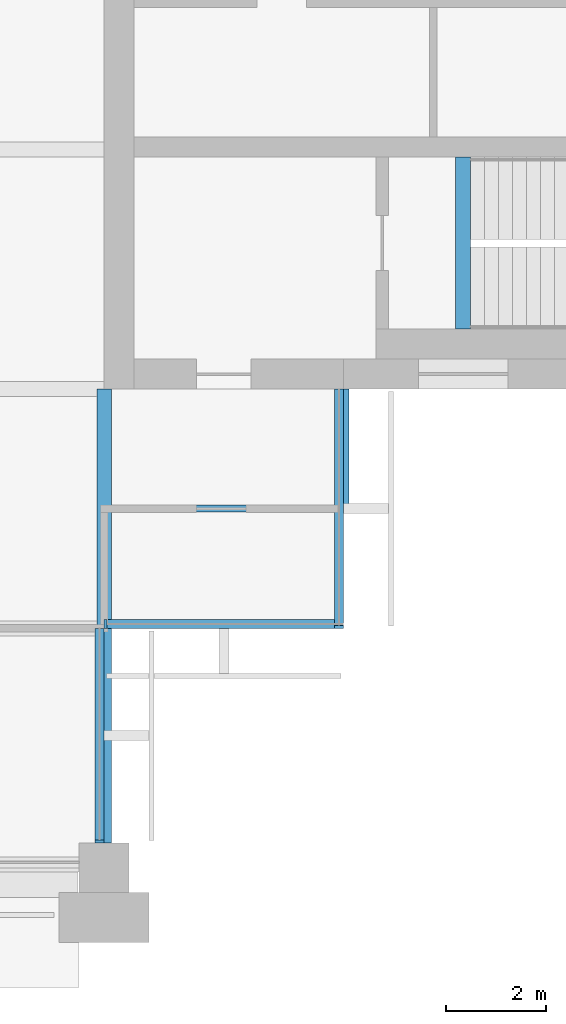
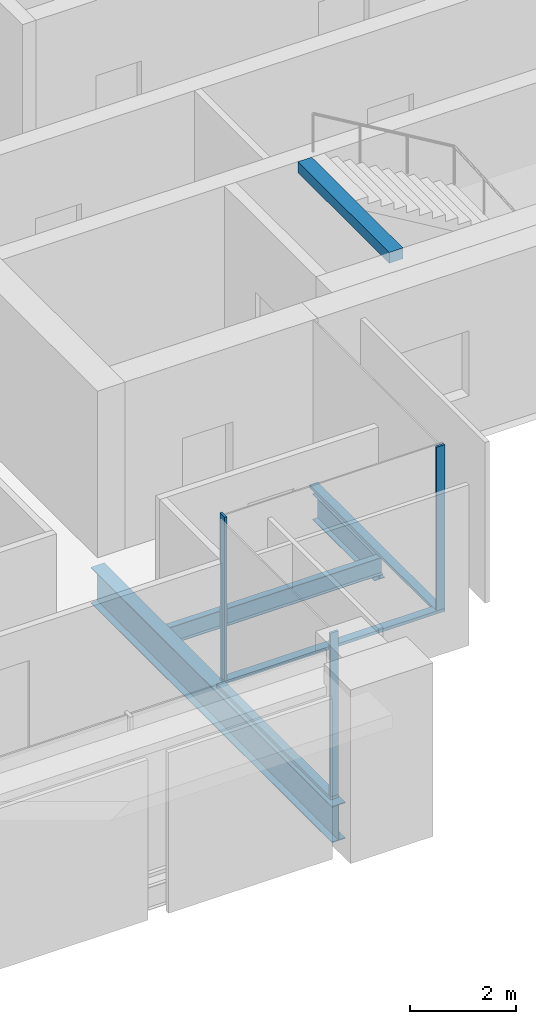
# One storey, part 4 of 14: 6 members, 4 beams, 3 elements without a shape of their own.
"""IFC4 building model written with IfcOpenShell, lengths in metres."""

from ifc_helpers import new_model, si_unit, direction, frame, origin, origin_2d, place, context, subcontext, project, spatial, rectangle, i_section, extrude, material, material_profile, profile_set, type_object, element, aggregate, save


model = new_model("IFC4")

# Units and contexts
model_context = context("Model", 3, precision=1e-05, world=origin(), true_north=direction((0.0, 1.0)))
body_context = subcontext(model_context, "Body", "Model", "MODEL_VIEW")
ifc_project = project(units=[si_unit("LENGTHUNIT", "METRE"), si_unit("AREAUNIT", "SQUARE_METRE"), si_unit("VOLUMEUNIT", "CUBIC_METRE"), si_unit("PLANEANGLEUNIT", "RADIAN"), si_unit("MASSUNIT", "GRAM", prefix="KILO")], contexts=[model_context])

# Site, building, storey
site_placement = place(None, origin())
site = spatial("IfcSite", under=ifc_project, at=site_placement, CompositionType="ELEMENT")
building_placement = place(site_placement, origin())
building = spatial("IfcBuilding", under=site, at=building_placement, Name="Baori Bourse Tower", CompositionType="ELEMENT")
storey_placement = place(building_placement, frame((0.0, 0.0, 290.300048828125)))
storey = spatial("IfcBuildingStorey", under=building, at=storey_placement, Name="L63", CompositionType="ELEMENT", Elevation=290.300048828125)

# Curtain wall, member
ifc_material_1 = material(Name="Pale anodised aluminium", Category="aluminium")
curtain_wall_type = type_object("IfcCurtainWallType", Name="CW2 Curtain wall", PredefinedType="NOTDEFINED", material=ifc_material_1)
curtain_wall_1_placement = place(storey_placement, origin())
curtain_wall_1 = element("IfcCurtainWall", 1, at=curtain_wall_1_placement, inside=storey, type_object=curtain_wall_type, Name="Curtain wall CW2 L63 16", PredefinedType="NOTDEFINED")
ifc_material_2 = material(Name="Pale anodised aluminium", Category="aluminium")
ifc_material_profile_1 = material_profile(ifc_material_2, rectangle(XDim=0.179931640625, YDim=0.054931640625, at=origin_2d()), Name="Mullion 55x180")
ifc_profile_set_1 = profile_set([ifc_material_profile_1], Name="Pale anodised aluminium")
member_type_1 = type_object("IfcMemberType", Name="CW2 Curtain wall mullion", PredefinedType="MULLION", material=ifc_profile_set_1)
member_1_placement = place(storey_placement, frame((38.31005859375, 0.527587890625, 0.070068359375), z_axis=(0.0, 0.0, 1.0), x_axis=(-1.0, 0.0, 0.0)))
member_1 = element("IfcMember", 2, at=member_1_placement, type_object=member_type_1, Name="Curtain wall CW2 mullion", PredefinedType="MULLION", context=body_context, shape_type="SweptSolid", body=[
    extrude(rectangle(XDim=0.179931640625, YDim=0.054931640625, at=origin_2d()), origin(), (0.0, 0.0, 1.0), 3.769775390625),
])

curtain_wall_2_placement = place(storey_placement, origin())
curtain_wall_2 = element("IfcCurtainWall", 3, at=curtain_wall_2_placement, inside=storey, type_object=curtain_wall_type, Name="Curtain wall CW2 L63 17", PredefinedType="NOTDEFINED")
member_2_placement = place(storey_placement, frame((38.427490234375, 4.889892578125, 0.070068359375), z_axis=(0.0, 0.0, 1.0), x_axis=(0.0, 1.0, 0.0)))
member_2 = element("IfcMember", 4, at=member_2_placement, type_object=member_type_1, Name="Curtain wall CW2 mullion", PredefinedType="MULLION", context=body_context, shape_type="SweptSolid", body=[
    extrude(rectangle(XDim=0.179931640625, YDim=0.054931640625, at=origin_2d()), origin(), (0.0, 0.0, 1.0), 3.769775390625),
])

curtain_wall_3_placement = place(storey_placement, origin())
curtain_wall_3 = element("IfcCurtainWall", 5, at=curtain_wall_3_placement, inside=storey, type_object=curtain_wall_type, Name="Curtain wall CW2 L63 18", PredefinedType="NOTDEFINED")
member_3_placement = place(storey_placement, frame((43.110107421875, 4.827392578125, 0.070068359375), z_axis=(0.0, 0.0, 1.0), x_axis=(-1.0, 0.0, 0.0)))
member_3 = element("IfcMember", 6, at=member_3_placement, type_object=member_type_1, Name="Curtain wall CW2 mullion", PredefinedType="MULLION", context=body_context, shape_type="SweptSolid", body=[
    extrude(rectangle(XDim=0.179931640625, YDim=0.054931640625, at=origin_2d()), origin(), (0.0, 0.0, 1.0), 3.769775390625),
])

# Member
ifc_material_3 = material(Name="Pale anodised aluminium", Category="aluminium")
ifc_material_profile_2 = material_profile(ifc_material_3, rectangle(XDim=0.179931640625, YDim=0.070068359375, at=origin_2d()), Name="Transom 70x180")
ifc_profile_set_2 = profile_set([ifc_material_profile_2], Name="Pale anodised aluminium")
member_type_2 = type_object("IfcMemberType", Name="CW2 Curtain wall transom", PredefinedType="USERDEFINED", material=ifc_profile_set_2)
member_4_placement = place(storey_placement, frame((38.31005859375, 0.5, 0.034912109375), z_axis=(0.0, 1.0, 0.0), x_axis=(-1.0, 0.0, 0.0)))
member_4 = element("IfcMember", 7, at=member_4_placement, type_object=member_type_2, Name="Curtain wall CW2 sill rail", ObjectType="TRANSOM", PredefinedType="USERDEFINED", context=body_context, shape_type="SweptSolid", body=[
    extrude(rectangle(XDim=0.179931640625, YDim=0.070068359375, at=origin_2d()), origin(), (0.0, 0.0, 1.0), 4.300048828125),
])

aggregate(curtain_wall_1, [member_4, member_1])

member_5_placement = place(storey_placement, frame((38.39990234375, 4.889892578125, 0.034912109375), z_axis=(1.0, 0.0, 0.0), x_axis=(0.0, 1.0, 0.0)))
member_5 = element("IfcMember", 8, at=member_5_placement, type_object=member_type_2, Name="Curtain wall CW2 sill rail", ObjectType="TRANSOM", PredefinedType="USERDEFINED", context=body_context, shape_type="SweptSolid", body=[
    extrude(rectangle(XDim=0.179931640625, YDim=0.070068359375, at=origin_2d()), origin(), (0.0, 0.0, 1.0), 4.800048828125),
])

aggregate(curtain_wall_2, [member_5, member_2])

member_6_placement = place(storey_placement, frame((43.110107421875, 4.800048828125, 0.034912109375), z_axis=(0.0, 1.0, 0.0), x_axis=(-1.0, 0.0, 0.0)))
member_6 = element("IfcMember", 9, at=member_6_placement, type_object=member_type_2, Name="Curtain wall CW2 sill rail", ObjectType="TRANSOM", PredefinedType="USERDEFINED", context=body_context, shape_type="SweptSolid", body=[
    extrude(rectangle(XDim=0.179931640625, YDim=0.070068359375, at=origin_2d()), origin(), (0.0, 0.0, 1.0), 4.800048828125),
])

aggregate(curtain_wall_3, [member_6, member_3])

# Beams
ifc_material_4 = material(Name="Steel A992 Gr 50", Category="steel")
ifc_material_profile_3 = material_profile(ifc_material_4, i_section(OverallWidth=0.227783203125, OverallDepth=0.60205078125, WebThickness=0.010498046875, FlangeThickness=0.014892578125, at=origin_2d()), Name="W24x68")
ifc_profile_set_3 = profile_set([ifc_material_profile_3], Name="Steel A992 Gr 50")
beam_type_1 = type_object("IfcBeamType", Name="Core bracket W24x68", PredefinedType="BEAM", material=ifc_profile_set_3)
beam_1_placement = place(storey_placement, frame((43.199951171875, 7.270263671875, -0.4609375), z_axis=(0.0, 1.0, 0.0), x_axis=(-1.0, 0.0, 0.0)))
element("IfcBeam", 10, at=beam_1_placement, inside=storey, type_object=beam_type_1, Name="Core bracket L63", PredefinedType="BEAM", context=body_context, shape_type="SweptSolid", body=[
    extrude(i_section(OverallWidth=0.227783203125, OverallDepth=0.60205078125, WebThickness=0.010498046875, FlangeThickness=0.014892578125, at=origin_2d()), origin(), (0.0, 0.0, 1.0), 2.329833984375),
])
ifc_material_5 = material(Name="Steel A992 Gr 50", Category="steel")
ifc_material_profile_4 = material_profile(ifc_material_5, i_section(OverallWidth=0.2919921875, OverallDepth=0.835693359375, WebThickness=0.013916015625, FlangeThickness=0.018798828125, at=origin_2d()), Name="W33x118")
ifc_profile_set_4 = profile_set([ifc_material_profile_4], Name="Steel A992 Gr 50")
beam_type_2 = type_object("IfcBeamType", Name="Girder W33x118", PredefinedType="BEAM", material=ifc_profile_set_4)
beam_2_placement = place(storey_placement, frame((38.39990234375, 0.5, -0.577880859375), z_axis=(0.0, 1.0, 0.0), x_axis=(-1.0, 0.0, 0.0)))
element("IfcBeam", 11, at=beam_2_placement, inside=storey, type_object=beam_type_2, Name="Girder L63", PredefinedType="BEAM", context=body_context, shape_type="SweptSolid", body=[
    extrude(i_section(OverallWidth=0.2919921875, OverallDepth=0.835693359375, WebThickness=0.013916015625, FlangeThickness=0.018798828125, at=origin_2d()), origin(), (0.0, 0.0, 1.0), 9.10009765625),
])
ifc_material_6 = material(Name="Concrete f'c 50 MPa", Category="concrete")
ifc_material_profile_5 = material_profile(ifc_material_6, rectangle(XDim=0.300048828125, YDim=0.25, at=origin_2d()), Name="RC 300x250")
ifc_profile_set_5 = profile_set([ifc_material_profile_5], Name="Concrete f'c 50 MPa")
beam_type_3 = type_object("IfcBeamType", Name="Stair nib beam RC 300x250", PredefinedType="BEAM", material=ifc_profile_set_5)
beam_3_placement = place(storey_placement, frame((45.60009765625, 10.800048828125, 3.71484375), z_axis=(0.0, 1.0, 0.0), x_axis=(-1.0, 0.0, 0.0)))
element("IfcBeam", 12, at=beam_3_placement, inside=storey, type_object=beam_type_3, Name="Stair EA nib beam L64", PredefinedType="BEAM", context=body_context, shape_type="SweptSolid", body=[
    extrude(rectangle(XDim=0.300048828125, YDim=0.25, at=origin_2d()), origin(), (0.0, 0.0, 1.0), 3.449951171875),
])
ifc_material_7 = material(Name="Steel A992 Gr 50", Category="steel")
ifc_material_profile_6 = material_profile(ifc_material_7, i_section(OverallWidth=0.140380859375, OverallDepth=0.40380859375, WebThickness=0.007080078125, FlangeThickness=0.01123046875, at=origin_2d()), Name="W16x31")
ifc_profile_set_6 = profile_set([ifc_material_profile_6], Name="Steel A992 Gr 50")
beam_type_4 = type_object("IfcBeamType", Name="Trimmer beam W16x31", PredefinedType="BEAM", material=ifc_profile_set_6)
beam_4_placement = place(storey_placement, frame((38.546142578125, 7.199951171875, -0.362060546875), z_axis=(1.0, 0.0, 0.0), x_axis=(0.0, 1.0, 0.0)))
element("IfcBeam", 13, at=beam_4_placement, inside=storey, type_object=beam_type_4, Name="Trimmer beam L63", PredefinedType="BEAM", context=body_context, shape_type="SweptSolid", body=[
    extrude(i_section(OverallWidth=0.140380859375, OverallDepth=0.40380859375, WebThickness=0.007080078125, FlangeThickness=0.01123046875, at=origin_2d()), origin(), (0.0, 0.0, 1.0), 4.65380859375),
])

save(model, "model.ifc")
